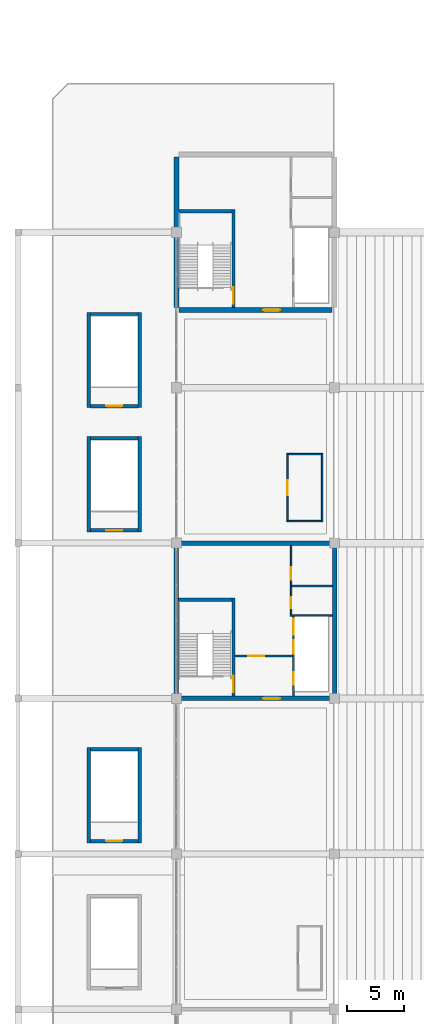
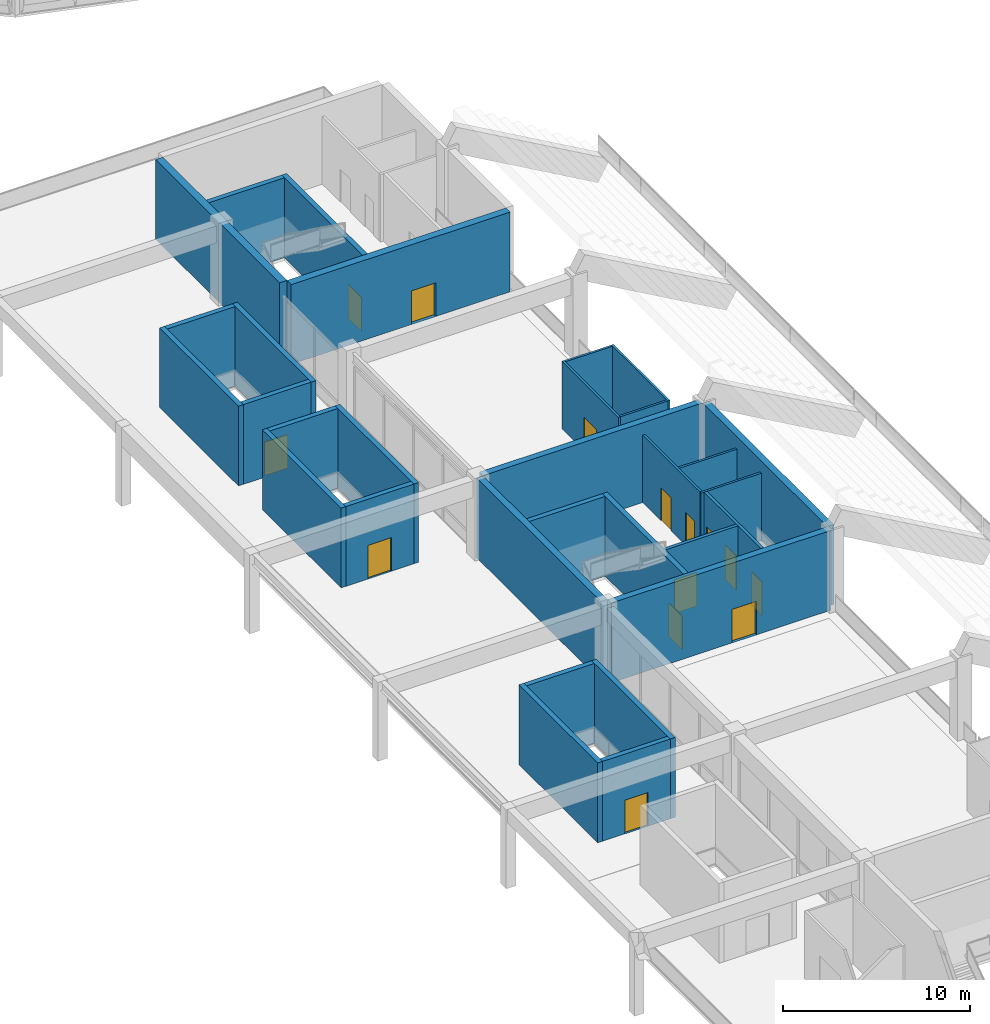
# One storey, part 71 of 90: 31 walls, 14 doors, 14 openings.
"""IFC4 building model written with IfcOpenShell, lengths in metres."""

from ifc_helpers import new_model, si_unit, direction, frame, frame_2d, origin, place, context, subcontext, project, spatial, rectangle, extrude, material, layer, layer_set, type_object, element, fill, save


model = new_model("IFC4")

# Units and contexts
model_context = context("Model", 3, precision=1e-05, world=origin(), true_north=direction((0.0, 1.0)))
body_context = subcontext(model_context, "Body", "Model", "MODEL_VIEW")
ifc_project = project(units=[si_unit("LENGTHUNIT", "METRE"), si_unit("AREAUNIT", "SQUARE_METRE"), si_unit("VOLUMEUNIT", "CUBIC_METRE"), si_unit("PLANEANGLEUNIT", "RADIAN"), si_unit("MASSUNIT", "GRAM", prefix="KILO")], contexts=[model_context])

# Site, building, storey
site_placement = place(None, origin())
site = spatial("IfcSite", under=ifc_project, at=site_placement, CompositionType="ELEMENT")
building_placement = place(site_placement, origin())
building = spatial("IfcBuilding", under=site, at=building_placement, Name="Linyun Crest Stadium", CompositionType="ELEMENT")
storey_placement = place(building_placement, frame((0.0, 0.0, 21.0)))
storey = spatial("IfcBuildingStorey", under=building, at=storey_placement, Name="L05", CompositionType="ELEMENT", Elevation=21.0)

# Walls
ifc_material_1 = material(Name="Concrete C50", Category="concrete")
ifc_layer_1 = layer(ifc_material_1, 0.39990234375)
ifc_layer_set_1 = layer_set([ifc_layer_1], Name="Concrete C50")
wall_type_1 = type_object("IfcWallType", Name="CW02", PredefinedType="SHEAR", material=ifc_layer_set_1)
for number, where, z_axis, x_axis, name in (
    (1, (-84.0, 2.324951171875, 0.0), (0.0, 0.0, 1.0), (0.0, 1.0, 0.0), "Core shear wall CW02 CORE-W2 L05.1"),
    (2, (-70.0, 2.324951171875, 0.0), (0.0, 0.0, 1.0), (0.0, 1.0, 0.0), "Core shear wall CW02 CORE-W2 L05.2"),
):
    element("IfcWall", number, at=place(storey_placement, frame(where, z_axis=z_axis, x_axis=x_axis)), inside=storey, type_object=wall_type_1, Name=name, PredefinedType="SHEAR", context=body_context, shape_type="SweptSolid", body=[
        extrude(rectangle(XDim=13.35009765625, YDim=0.39990234375, at=frame_2d((6.675048828125, 0.0))), origin(), (0.0, 0.0, 1.0), 5.219970703125),
    ])

# Wall, opening, door
wall_1_placement = place(storey_placement, frame((-83.800048828125, 2.125, 0.0), z_axis=(0.0, 0.0, 1.0), x_axis=(1.0, 0.0, 0.0)))
wall_1 = element("IfcWall", 3, at=wall_1_placement, inside=storey, type_object=wall_type_1, Name="Core shear wall CW02 CORE-W2 L05.3", PredefinedType="SHEAR", context=body_context, shape_type="SweptSolid", body=[
    extrude(rectangle(XDim=13.60009765625, YDim=0.39990234375, at=frame_2d((6.800048828125, 0.0))), origin(), (0.0, 0.0, 1.0), 5.219970703125),
])
opening_1_placement = place(wall_1_placement, frame((7.47998046875, 0.0, 0.0)))
opening_1 = element("IfcOpeningElement", 4, at=opening_1_placement, cuts=wall_1, Name="Opening D-L05-090", PredefinedType="OPENING", context=body_context, shape_type="SweptSolid", body=[
    extrude(rectangle(XDim=1.5, YDim=2.199951171875, at=frame_2d((0.75, 1.10009765625))), frame((0.0, 0.2099609375, 0.0), z_axis=(0.0, -1.0, 0.0), x_axis=(1.0, 0.0, 0.0)), (0.0, 0.0, 1.0), 0.419921875),
])
ifc_material_2 = material(Name="Galvanized steel Class A fire door", Category="steel")
ifc_layer_2 = layer(ifc_material_2, 0.054931640625)
ifc_layer_set_2 = layer_set([ifc_layer_2], Name="Galvanized steel Class A fire door")
door_type_1 = type_object("IfcDoorType", Name="FD01", OperationType="NOTDEFINED", PredefinedType="DOOR", material=ifc_layer_set_2)
door_1_placement = place(opening_1_placement, origin())
door_1 = element("IfcDoor", 5, at=door_1_placement, inside=storey, type_object=door_type_1, Name="Door D-L05-090", OperationType="SINGLE_SWING_RIGHT", OverallHeight=2.199951171875, OverallWidth=1.5, PredefinedType="DOOR", context=body_context, shape_type="SweptSolid", body=[
    extrude(rectangle(XDim=1.5, YDim=2.199951171875, at=frame_2d((0.75, 1.10009765625))), frame((0.0, 0.02490234375, 0.0), z_axis=(0.0, -1.0, 0.0), x_axis=(1.0, 0.0, 0.0)), (0.0, 0.0, 1.0), 0.050048828125),
])
fill(opening_1, door_1)

# Walls
wall_2_placement = place(storey_placement, frame((-83.800048828125, 15.875, 0.0), z_axis=(0.0, 0.0, 1.0), x_axis=(1.0, 0.0, 0.0)))
element("IfcWall", 6, at=wall_2_placement, inside=storey, type_object=wall_type_1, Name="Core shear wall CW02 CORE-W2 L05.4", PredefinedType="SHEAR", context=body_context, shape_type="SweptSolid", body=[
    extrude(rectangle(XDim=13.60009765625, YDim=0.39990234375, at=frame_2d((6.800048828125, 0.0))), origin(), (0.0, 0.0, 1.0), 5.219970703125),
])
ifc_material_3 = material(Name="Concrete C50", Category="concrete")
ifc_layer_3 = layer(ifc_material_3, 0.449951171875)
ifc_layer_set_3 = layer_set([ifc_layer_3], Name="Concrete C50")
wall_type_2 = type_object("IfcWallType", Name="CW03", PredefinedType="SHEAR", material=ifc_layer_set_3)
wall_3_placement = place(storey_placement, frame((-84.0, 36.72509765625, 0.0), z_axis=(0.0, 0.0, 1.0), x_axis=(0.0, 1.0, 0.0)))
element("IfcWall", 7, at=wall_3_placement, inside=storey, type_object=wall_type_2, Name="Core shear wall CW03 CORE-W3 L05.1", PredefinedType="SHEAR", context=body_context, shape_type="SweptSolid", body=[
    extrude(rectangle(XDim=13.2998046875, YDim=0.449951171875, at=frame_2d((6.64990234375, 0.0))), origin(), (0.0, 0.0, 1.0), 5.219970703125),
])

# Wall, opening, door
wall_4_placement = place(storey_placement, frame((-83.77490234375, 36.5, 0.0), z_axis=(0.0, 0.0, 1.0), x_axis=(1.0, 0.0, 0.0)))
wall_4 = element("IfcWall", 8, at=wall_4_placement, inside=storey, type_object=wall_type_2, Name="Core shear wall CW03 CORE-W3 L05.3", PredefinedType="SHEAR", context=body_context, shape_type="SweptSolid", body=[
    extrude(rectangle(XDim=13.5498046875, YDim=0.449951171875, at=frame_2d((6.77490234375, 0.0))), origin(), (0.0, 0.0, 1.0), 5.219970703125),
])
opening_2_placement = place(wall_4_placement, frame((7.452880859375, 0.0, 0.0)))
opening_2 = element("IfcOpeningElement", 9, at=opening_2_placement, cuts=wall_4, Name="Opening D-L05-136", PredefinedType="OPENING", context=body_context, shape_type="SweptSolid", body=[
    extrude(rectangle(XDim=1.5, YDim=2.199951171875, at=frame_2d((0.75, 1.10009765625))), frame((0.0, 0.23486328125, 0.0), z_axis=(0.0, -1.0, 0.0), x_axis=(1.0, 0.0, 0.0)), (0.0, 0.0, 1.0), 0.469970703125),
])
door_2_placement = place(opening_2_placement, origin())
door_2 = element("IfcDoor", 10, at=door_2_placement, inside=storey, type_object=door_type_1, Name="Door D-L05-136", OperationType="SINGLE_SWING_RIGHT", OverallHeight=2.199951171875, OverallWidth=1.5, PredefinedType="DOOR", context=body_context, shape_type="SweptSolid", body=[
    extrude(rectangle(XDim=1.5, YDim=2.199951171875, at=frame_2d((0.75, 1.10009765625))), frame((0.0, 0.02490234375, 0.0), z_axis=(0.0, -1.0, 0.0), x_axis=(1.0, 0.0, 0.0)), (0.0, 0.0, 1.0), 0.050048828125),
])
fill(opening_2, door_2)

ifc_material_4 = material(Name="Autoclaved aerated concrete block with fireboard", Category="concrete")
ifc_layer_4 = layer(ifc_material_4, 0.199951171875)
ifc_layer_set_4 = layer_set([ifc_layer_4], Name="Autoclaved aerated concrete block with fireboard")
wall_type_3 = type_object("IfcWallType", Name="PW11", PredefinedType="PARTITIONING", material=ifc_layer_set_4)
wall_5_placement = place(storey_placement, frame((-78.800048828125, 5.875, 0.0), z_axis=(0.0, 0.0, 1.0), x_axis=(1.0, 0.0, 0.0)))
wall_5 = element("IfcWall", 11, at=wall_5_placement, inside=storey, type_object=wall_type_3, Name="Partition PW11 L05 37", PredefinedType="PARTITIONING", context=body_context, shape_type="SweptSolid", body=[
    extrude(rectangle(XDim=5.06005859375, YDim=0.199951171875, at=frame_2d((2.530029296875, 0.0))), origin(), (0.0, 0.0, 1.0), 4.419921875),
])
opening_3_placement = place(wall_5_placement, frame((1.169921875, 0.0, 0.0)))
opening_3 = element("IfcOpeningElement", 12, at=opening_3_placement, cuts=wall_5, Name="Opening D-L05-092", PredefinedType="OPENING", context=body_context, shape_type="SweptSolid", body=[
    extrude(rectangle(XDim=1.39990234375, YDim=2.199951171875, at=frame_2d((0.699951171875, 1.10009765625))), frame((0.0, 0.10986328125, 0.0), z_axis=(0.0, -1.0, 0.0), x_axis=(1.0, 0.0, 0.0)), (0.0, 0.0, 1.0), 0.219970703125),
])
ifc_material_5 = material(Name="Galvanized steel Class B fire door", Category="steel")
ifc_layer_5 = layer(ifc_material_5, 0.054931640625)
ifc_layer_set_5 = layer_set([ifc_layer_5], Name="Galvanized steel Class B fire door")
door_type_2 = type_object("IfcDoorType", Name="FD03", OperationType="NOTDEFINED", PredefinedType="DOOR", material=ifc_layer_set_5)
door_3_placement = place(opening_3_placement, origin())
door_3 = element("IfcDoor", 13, at=door_3_placement, inside=storey, type_object=door_type_2, Name="Door D-L05-092", OperationType="SINGLE_SWING_RIGHT", OverallHeight=2.199951171875, OverallWidth=1.39990234375, PredefinedType="DOOR", context=body_context, shape_type="SweptSolid", body=[
    extrude(rectangle(XDim=1.39990234375, YDim=2.199951171875, at=frame_2d((0.699951171875, 1.10009765625))), frame((0.0, 0.02490234375, 0.0), z_axis=(0.0, -1.0, 0.0), x_axis=(1.0, 0.0, 0.0)), (0.0, 0.0, 1.0), 0.050048828125),
])
fill(opening_3, door_3)

# Wall, openings, doors
ifc_material_6 = material(Name="Autoclaved aerated concrete block fire partition", Category="concrete")
ifc_layer_6 = layer(ifc_material_6, 0.179931640625)
ifc_layer_set_6 = layer_set([ifc_layer_6], Name="Autoclaved aerated concrete block fire partition")
wall_type_4 = type_object("IfcWallType", Name="PW12", PredefinedType="PARTITIONING", material=ifc_layer_set_6)
wall_6_placement = place(storey_placement, frame((-73.64990234375, 2.324951171875, 0.0), z_axis=(0.0, 0.0, 1.0), x_axis=(0.0, 1.0, 0.0)))
wall_6 = element("IfcWall", 14, at=wall_6_placement, inside=storey, type_object=wall_type_4, Name="Partition PW12 L05 38", PredefinedType="PARTITIONING", context=body_context, shape_type="SweptSolid", body=[
    extrude(rectangle(XDim=7.080078125, YDim=0.179931640625, at=frame_2d((3.5400390625, 0.0))), origin(), (0.0, 0.0, 1.0), 4.419921875),
])
opening_4_placement = place(wall_6_placement, frame((1.0, 0.0, 0.0)))
opening_4 = element("IfcOpeningElement", 15, at=opening_4_placement, cuts=wall_6, Name="Opening LD030", PredefinedType="OPENING", context=body_context, shape_type="SweptSolid", body=[
    extrude(rectangle(XDim=1.10009765625, YDim=2.199951171875, at=frame_2d((0.550048828125, 1.10009765625))), frame((0.0, 0.099853515625, 0.0), z_axis=(0.0, -1.0, 0.0), x_axis=(1.0, 0.0, 0.0)), (0.0, 0.0, 1.0), 0.199951171875),
])
opening_5_placement = place(wall_6_placement, frame((3.75, 0.0, 0.0)))
opening_5 = element("IfcOpeningElement", 16, at=opening_5_placement, cuts=wall_6, Name="Opening LD031", PredefinedType="OPENING", context=body_context, shape_type="SweptSolid", body=[
    extrude(rectangle(XDim=1.199951171875, YDim=2.25, at=frame_2d((0.60009765625, 1.125))), frame((0.0, 0.099853515625, 0.0), z_axis=(0.0, -1.0, 0.0), x_axis=(1.0, 0.0, 0.0)), (0.0, 0.0, 1.0), 0.199951171875),
])
opening_6_placement = place(wall_6_placement, frame((5.449951171875, 0.0, 0.0)))
opening_6 = element("IfcOpeningElement", 17, at=opening_6_placement, cuts=wall_6, Name="Opening LD032", PredefinedType="OPENING", context=body_context, shape_type="SweptSolid", body=[
    extrude(rectangle(XDim=1.39990234375, YDim=2.300048828125, at=frame_2d((0.699951171875, 1.14990234375))), frame((0.0, 0.099853515625, 0.0), z_axis=(0.0, -1.0, 0.0), x_axis=(1.0, 0.0, 0.0)), (0.0, 0.0, 1.0), 0.199951171875),
])
ifc_material_7 = material(Name="Brushed stainless sliding lift door")
ifc_layer_7 = layer(ifc_material_7, 0.050048828125)
ifc_layer_set_7 = layer_set([ifc_layer_7], Name="Brushed stainless sliding lift door")
door_type_3 = type_object("IfcDoorType", Name="LD01", OperationType="NOTDEFINED", PredefinedType="DOOR", material=ifc_layer_set_7)
door_4_placement = place(opening_4_placement, origin())
door_4 = element("IfcDoor", 18, at=door_4_placement, inside=storey, type_object=door_type_3, Name="Lift landing door LD030", OperationType="DOUBLE_DOOR_SLIDING", OverallHeight=2.199951171875, OverallWidth=1.10009765625, PredefinedType="DOOR", context=body_context, shape_type="SweptSolid", body=[
    extrude(rectangle(XDim=1.10009765625, YDim=2.199951171875, at=frame_2d((0.550048828125, 1.10009765625))), frame((0.0, 0.02490234375, 0.0), z_axis=(0.0, -1.0, 0.0), x_axis=(1.0, 0.0, 0.0)), (0.0, 0.0, 1.0), 0.050048828125),
])
fill(opening_4, door_4)
ifc_material_8 = material(Name="Brushed stainless sliding lift door")
ifc_layer_8 = layer(ifc_material_8, 0.050048828125)
ifc_layer_set_8 = layer_set([ifc_layer_8], Name="Brushed stainless sliding lift door")
door_type_4 = type_object("IfcDoorType", Name="LD02", OperationType="NOTDEFINED", PredefinedType="DOOR", material=ifc_layer_set_8)
door_5_placement = place(opening_5_placement, origin())
door_5 = element("IfcDoor", 19, at=door_5_placement, inside=storey, type_object=door_type_4, Name="Lift landing door LD031", OperationType="DOUBLE_DOOR_SLIDING", OverallHeight=2.25, OverallWidth=1.199951171875, PredefinedType="DOOR", context=body_context, shape_type="SweptSolid", body=[
    extrude(rectangle(XDim=1.199951171875, YDim=2.25, at=frame_2d((0.60009765625, 1.125))), frame((0.0, 0.02490234375, 0.0), z_axis=(0.0, -1.0, 0.0), x_axis=(1.0, 0.0, 0.0)), (0.0, 0.0, 1.0), 0.050048828125),
])
fill(opening_5, door_5)
ifc_material_9 = material(Name="Heavy-duty stainless sliding door")
ifc_layer_9 = layer(ifc_material_9, 0.054931640625)
ifc_layer_set_9 = layer_set([ifc_layer_9], Name="Heavy-duty stainless sliding door")
door_type_5 = type_object("IfcDoorType", Name="LD03", OperationType="NOTDEFINED", PredefinedType="DOOR", material=ifc_layer_set_9)
door_6_placement = place(opening_6_placement, origin())
door_6 = element("IfcDoor", 20, at=door_6_placement, inside=storey, type_object=door_type_5, Name="Lift landing door LD032", OperationType="DOUBLE_DOOR_SLIDING", OverallHeight=2.300048828125, OverallWidth=1.39990234375, PredefinedType="DOOR", context=body_context, shape_type="SweptSolid", body=[
    extrude(rectangle(XDim=1.39990234375, YDim=2.300048828125, at=frame_2d((0.699951171875, 1.14990234375))), frame((0.0, 0.02490234375, 0.0), z_axis=(0.0, -1.0, 0.0), x_axis=(1.0, 0.0, 0.0)), (0.0, 0.0, 1.0), 0.050048828125),
])
fill(opening_6, door_6)

ifc_material_10 = material(Name="Moisture-resistant ceramic-tiled wet-room wall")
ifc_layer_10 = layer(ifc_material_10, 0.139892578125)
ifc_layer_set_10 = layer_set([ifc_layer_10], Name="Moisture-resistant ceramic-tiled wet-room wall")
wall_type_5 = type_object("IfcWallType", Name="PW15", PredefinedType="PARTITIONING", material=ifc_layer_set_10)
wall_7_placement = place(storey_placement, frame((-73.85009765625, 9.544921875, 0.0), z_axis=(0.0, 0.0, 1.0), x_axis=(0.0, 1.0, 0.0)))
wall_7 = element("IfcWall", 21, at=wall_7_placement, inside=storey, type_object=wall_type_5, Name="Partition PW15 L05 39", PredefinedType="PARTITIONING", context=body_context, shape_type="SweptSolid", body=[
    extrude(rectangle(XDim=6.130126953125, YDim=0.139892578125, at=frame_2d((3.06494140625, 0.0))), origin(), (0.0, 0.0, 1.0), 4.419921875),
])
opening_7_placement = place(wall_7_placement, frame((0.580078125, 0.0, 0.0)))
opening_7 = element("IfcOpeningElement", 22, at=opening_7_placement, cuts=wall_7, Name="Opening D-L05-096", PredefinedType="OPENING", context=body_context, shape_type="SweptSolid", body=[
    extrude(rectangle(XDim=0.949951171875, YDim=2.14990234375, at=frame_2d((0.47509765625, 1.074951171875))), frame((0.0, 0.079833984375, 0.0), z_axis=(0.0, -1.0, 0.0), x_axis=(1.0, 0.0, 0.0)), (0.0, 0.0, 1.0), 0.159912109375),
])
opening_8_placement = place(wall_7_placement, frame((3.080078125, 0.0, 0.0)))
opening_8 = element("IfcOpeningElement", 23, at=opening_8_placement, cuts=wall_7, Name="Opening D-L05-097", PredefinedType="OPENING", context=body_context, shape_type="SweptSolid", body=[
    extrude(rectangle(XDim=1.10009765625, YDim=2.14990234375, at=frame_2d((0.550048828125, 1.074951171875))), frame((0.0, 0.079833984375, 0.0), z_axis=(0.0, -1.0, 0.0), x_axis=(1.0, 0.0, 0.0)), (0.0, 0.0, 1.0), 0.159912109375),
])
ifc_material_11 = material(Name="Moisture-resistant laminate leaf")
ifc_layer_11 = layer(ifc_material_11, 0.044921875)
ifc_layer_set_11 = layer_set([ifc_layer_11], Name="Moisture-resistant laminate leaf")
door_type_6 = type_object("IfcDoorType", Name="ID02", OperationType="NOTDEFINED", PredefinedType="DOOR", material=ifc_layer_set_11)
door_7_placement = place(opening_7_placement, origin())
door_7 = element("IfcDoor", 24, at=door_7_placement, inside=storey, type_object=door_type_6, Name="Door D-L05-096", OperationType="SINGLE_SWING_RIGHT", OverallHeight=2.14990234375, OverallWidth=0.949951171875, PredefinedType="DOOR", context=body_context, shape_type="SweptSolid", body=[
    extrude(rectangle(XDim=0.949951171875, YDim=2.14990234375, at=frame_2d((0.47509765625, 1.074951171875))), frame((0.0, 0.02490234375, 0.0), z_axis=(0.0, -1.0, 0.0), x_axis=(1.0, 0.0, 0.0)), (0.0, 0.0, 1.0), 0.050048828125),
])
fill(opening_7, door_7)
ifc_material_12 = material(Name="Moisture-resistant laminate leaf")
ifc_layer_12 = layer(ifc_material_12, 0.044921875)
ifc_layer_set_12 = layer_set([ifc_layer_12], Name="Moisture-resistant laminate leaf")
door_type_7 = type_object("IfcDoorType", Name="ID03", OperationType="NOTDEFINED", PredefinedType="DOOR", material=ifc_layer_set_12)
door_8_placement = place(opening_8_placement, origin())
door_8 = element("IfcDoor", 25, at=door_8_placement, inside=storey, type_object=door_type_7, Name="Door D-L05-097", OperationType="SINGLE_SWING_LEFT", OverallHeight=2.14990234375, OverallWidth=1.10009765625, PredefinedType="DOOR", context=body_context, shape_type="SweptSolid", body=[
    extrude(rectangle(XDim=1.10009765625, YDim=2.14990234375, at=frame_2d((0.550048828125, 1.074951171875))), frame((0.0, 0.02490234375, 0.0), z_axis=(0.0, -1.0, 0.0), x_axis=(1.0, 0.0, 0.0)), (0.0, 0.0, 1.0), 0.050048828125),
])
fill(opening_8, door_8)

# Walls
wall_8_placement = place(storey_placement, frame((-73.919921875, 9.47509765625, 0.0), z_axis=(0.0, 0.0, 1.0), x_axis=(1.0, 0.0, 0.0)))
element("IfcWall", 26, at=wall_8_placement, inside=storey, type_object=wall_type_5, Name="Enclosure partition PW15 L05 25", PredefinedType="PARTITIONING", context=body_context, shape_type="SweptSolid", body=[
    extrude(rectangle(XDim=3.719970703125, YDim=0.139892578125, at=frame_2d((1.85986328125, 0.0))), origin(), (0.0, 0.0, 1.0), 4.419921875),
])
wall_9_placement = place(storey_placement, frame((-73.780029296875, 12.074951171875, 0.0), z_axis=(0.0, 0.0, 1.0), x_axis=(1.0, 0.0, 0.0)))
element("IfcWall", 27, at=wall_9_placement, inside=storey, type_object=wall_type_5, Name="Enclosure partition PW15 L05 26", PredefinedType="PARTITIONING", context=body_context, shape_type="SweptSolid", body=[
    extrude(rectangle(XDim=3.580078125, YDim=0.139892578125, at=frame_2d((1.7900390625, 0.0))), origin(), (0.0, 0.0, 1.0), 4.419921875),
])

# Wall, opening, door
ifc_material_13 = material(Name="Impact-resistant community sports hall lining")
ifc_layer_13 = layer(ifc_material_13, 0.135009765625)
ifc_layer_set_13 = layer_set([ifc_layer_13], Name="Impact-resistant community sports hall lining")
wall_type_6 = type_object("IfcWallType", Name="PW19", PredefinedType="PARTITIONING", material=ifc_layer_set_13)
wall_10_placement = place(storey_placement, frame((-74.156982421875, 17.7548828125, 0.0), z_axis=(0.0, 0.0, 1.0), x_axis=(0.0, 1.0, 0.0)))
wall_10 = element("IfcWall", 28, at=wall_10_placement, inside=storey, type_object=wall_type_6, Name="Partition PW19 L05 230", PredefinedType="PARTITIONING", context=body_context, shape_type="SweptSolid", body=[
    extrude(rectangle(XDim=6.050048828125, YDim=0.135009765625, at=frame_2d((3.02490234375, 0.0))), origin(), (0.0, 0.0, 1.0), 4.419921875),
])
opening_9_placement = place(wall_10_placement, frame((2.35009765625, 0.0, 0.0)))
opening_9 = element("IfcOpeningElement", 29, at=opening_9_placement, cuts=wall_10, Name="Opening D-L05-493", PredefinedType="OPENING", context=body_context, shape_type="SweptSolid", body=[
    extrude(rectangle(XDim=1.35009765625, YDim=2.199951171875, at=frame_2d((0.675048828125, 1.10009765625))), frame((0.0, 0.077392578125, 0.0), z_axis=(0.0, -1.0, 0.0), x_axis=(1.0, 0.0, 0.0)), (0.0, 0.0, 1.0), 0.155029296875),
])
ifc_material_14 = material(Name="Wide hospital-grade hygienic door")
ifc_layer_14 = layer(ifc_material_14, 0.050048828125)
ifc_layer_set_14 = layer_set([ifc_layer_14], Name="Wide hospital-grade hygienic door")
door_type_8 = type_object("IfcDoorType", Name="ID12", OperationType="NOTDEFINED", PredefinedType="DOOR", material=ifc_layer_set_14)
door_9_placement = place(opening_9_placement, origin())
door_9 = element("IfcDoor", 30, at=door_9_placement, inside=storey, type_object=door_type_8, Name="Door D-L05-493", OperationType="SINGLE_SWING_LEFT", OverallHeight=2.199951171875, OverallWidth=1.35009765625, PredefinedType="DOOR", context=body_context, shape_type="SweptSolid", body=[
    extrude(rectangle(XDim=1.35009765625, YDim=2.199951171875, at=frame_2d((0.675048828125, 1.10009765625))), frame((0.0, 0.02490234375, 0.0), z_axis=(0.0, -1.0, 0.0), x_axis=(1.0, 0.0, 0.0)), (0.0, 0.0, 1.0), 0.050048828125),
])
fill(opening_9, door_9)

# Walls
wall_11_placement = place(storey_placement, frame((-71.096923828125, 17.7548828125, 0.0), z_axis=(0.0, 0.0, 1.0), x_axis=(0.0, 1.0, 0.0)))
element("IfcWall", 31, at=wall_11_placement, inside=storey, type_object=wall_type_6, Name="Enclosure partition PW19 L05 406", PredefinedType="PARTITIONING", context=body_context, shape_type="SweptSolid", body=[
    extrude(rectangle(XDim=6.050048828125, YDim=0.135009765625, at=frame_2d((3.02490234375, 0.0))), origin(), (0.0, 0.0, 1.0), 4.419921875),
])
for number, where, z_axis, x_axis, name in (
    (32, (-74.089111328125, 17.822998046875, 0.0), (0.0, 0.0, 1.0), (1.0, 0.0, 0.0), "Enclosure partition PW19 L05 407"),
    (33, (-74.089111328125, 23.737060546875, 0.0), (0.0, 0.0, 1.0), (1.0, 0.0, 0.0), "Enclosure partition PW19 L05 408"),
):
    element("IfcWall", number, at=place(storey_placement, frame(where, z_axis=z_axis, x_axis=x_axis)), inside=storey, type_object=wall_type_6, Name=name, PredefinedType="PARTITIONING", context=body_context, shape_type="SweptSolid", body=[
        extrude(rectangle(XDim=2.924072265625, YDim=0.135009765625, at=frame_2d((1.4619140625, 0.0))), origin(), (0.0, 0.0, 1.0), 4.419921875),
    ])

# Wall, opening, door
ifc_material_15 = material(Name="Concrete C50", Category="concrete")
ifc_layer_15 = layer(ifc_material_15, 0.300048828125)
ifc_layer_set_15 = layer_set([ifc_layer_15], Name="Concrete C50")
wall_type_7 = type_object("IfcWallType", Name="SW01", PredefinedType="SHEAR", material=ifc_layer_set_15)
wall_12_placement = place(storey_placement, frame((-78.949951171875, 2.324951171875, 0.0), z_axis=(0.0, 0.0, 1.0), x_axis=(0.0, 1.0, 0.0)))
wall_12 = element("IfcWall", 34, at=wall_12_placement, inside=storey, type_object=wall_type_7, Name="Core stair east bearing wall SW01 2 L05", PredefinedType="SHEAR", context=body_context, shape_type="SweptSolid", body=[
    extrude(rectangle(XDim=8.699951171875, YDim=0.300048828125, at=frame_2d((4.35009765625, 0.0))), origin(), (0.0, 0.0, 1.0), 5.219970703125),
])
opening_10_placement = place(wall_12_placement, frame((0.3701171875, 0.0, 0.0)))
opening_10 = element("IfcOpeningElement", 35, at=opening_10_placement, cuts=wall_12, Name="Opening D-L05-091", PredefinedType="OPENING", context=body_context, shape_type="SweptSolid", body=[
    extrude(rectangle(XDim=1.449951171875, YDim=2.199951171875, at=frame_2d((0.72509765625, 1.10009765625))), frame((0.0, 0.159912109375, 0.0), z_axis=(0.0, -1.0, 0.0), x_axis=(1.0, 0.0, 0.0)), (0.0, 0.0, 1.0), 0.320068359375),
])
ifc_material_16 = material(Name="Galvanized steel Class A fire door", Category="steel")
ifc_layer_16 = layer(ifc_material_16, 0.054931640625)
ifc_layer_set_16 = layer_set([ifc_layer_16], Name="Galvanized steel Class A fire door")
door_type_9 = type_object("IfcDoorType", Name="FD02", OperationType="NOTDEFINED", PredefinedType="DOOR", material=ifc_layer_set_16)
door_10_placement = place(opening_10_placement, origin())
door_10 = element("IfcDoor", 36, at=door_10_placement, inside=storey, type_object=door_type_9, Name="Door D-L05-091", OperationType="SINGLE_SWING_LEFT", OverallHeight=2.199951171875, OverallWidth=1.449951171875, PredefinedType="DOOR", context=body_context, shape_type="SweptSolid", body=[
    extrude(rectangle(XDim=1.449951171875, YDim=2.199951171875, at=frame_2d((0.72509765625, 1.10009765625))), frame((0.0, 0.02490234375, 0.0), z_axis=(0.0, -1.0, 0.0), x_axis=(1.0, 0.0, 0.0)), (0.0, 0.0, 1.0), 0.050048828125),
])
fill(opening_10, door_10)

wall_13_placement = place(storey_placement, frame((-78.949951171875, 36.72509765625, 0.0), z_axis=(0.0, 0.0, 1.0), x_axis=(0.0, 1.0, 0.0)))
wall_13 = element("IfcWall", 37, at=wall_13_placement, inside=storey, type_object=wall_type_7, Name="Core stair east bearing wall SW01 3 L05", PredefinedType="SHEAR", context=body_context, shape_type="SweptSolid", body=[
    extrude(rectangle(XDim=8.6748046875, YDim=0.300048828125, at=frame_2d((4.33740234375, 0.0))), origin(), (0.0, 0.0, 1.0), 5.219970703125),
])
opening_11_placement = place(wall_13_placement, frame((0.344970703125, 0.0, 0.0)))
opening_11 = element("IfcOpeningElement", 38, at=opening_11_placement, cuts=wall_13, Name="Opening D-L05-137", PredefinedType="OPENING", context=body_context, shape_type="SweptSolid", body=[
    extrude(rectangle(XDim=1.449951171875, YDim=2.199951171875, at=frame_2d((0.72509765625, 1.10009765625))), frame((0.0, 0.159912109375, 0.0), z_axis=(0.0, -1.0, 0.0), x_axis=(1.0, 0.0, 0.0)), (0.0, 0.0, 1.0), 0.320068359375),
])
door_11_placement = place(opening_11_placement, origin())
door_11 = element("IfcDoor", 39, at=door_11_placement, inside=storey, type_object=door_type_9, Name="Door D-L05-137", OperationType="SINGLE_SWING_LEFT", OverallHeight=2.199951171875, OverallWidth=1.449951171875, PredefinedType="DOOR", context=body_context, shape_type="SweptSolid", body=[
    extrude(rectangle(XDim=1.449951171875, YDim=2.199951171875, at=frame_2d((0.72509765625, 1.10009765625))), frame((0.0, 0.02490234375, 0.0), z_axis=(0.0, -1.0, 0.0), x_axis=(1.0, 0.0, 0.0)), (0.0, 0.0, 1.0), 0.050048828125),
])
fill(opening_11, door_11)

# Walls
wall_14_placement = place(storey_placement, frame((-83.800048828125, 10.875, 0.0), z_axis=(0.0, 0.0, 1.0), x_axis=(1.0, 0.0, 0.0)))
element("IfcWall", 40, at=wall_14_placement, inside=storey, type_object=wall_type_7, Name="Core stair bearing wall SW01 2 L05", PredefinedType="SHEAR", context=body_context, shape_type="SweptSolid", body=[
    extrude(rectangle(XDim=4.699951171875, YDim=0.300048828125, at=frame_2d((2.35009765625, 0.0))), origin(), (0.0, 0.0, 1.0), 5.219970703125),
])
wall_15_placement = place(storey_placement, frame((-83.77490234375, 45.25, 0.0), z_axis=(0.0, 0.0, 1.0), x_axis=(1.0, 0.0, 0.0)))
element("IfcWall", 41, at=wall_15_placement, inside=storey, type_object=wall_type_7, Name="Core stair bearing wall SW01 3 L05", PredefinedType="SHEAR", context=body_context, shape_type="SweptSolid", body=[
    extrude(rectangle(XDim=4.6748046875, YDim=0.300048828125, at=frame_2d((2.33740234375, 0.0))), origin(), (0.0, 0.0, 1.0), 5.219970703125),
])

# Wall, opening, door
wall_16_placement = place(storey_placement, frame((-91.60009765625, -10.5, 0.0), z_axis=(0.0, 0.0, 1.0), x_axis=(1.0, 0.0, 0.0)))
wall_16 = element("IfcWall", 42, at=wall_16_placement, inside=storey, type_object=wall_type_7, Name="Stair shaft wall SW01 STR-15 L05 S", PredefinedType="SHEAR", context=body_context, shape_type="SweptSolid", body=[
    extrude(rectangle(XDim=4.2001953125, YDim=0.300048828125, at=frame_2d((2.10009765625, 0.0))), origin(), (0.0, 0.0, 1.0), 5.219970703125),
])
opening_12_placement = place(wall_16_placement, frame((1.375, 0.0, 0.0)))
opening_12 = element("IfcOpeningElement", 43, at=opening_12_placement, cuts=wall_16, Name="Opening D-L05-556", PredefinedType="OPENING", context=body_context, shape_type="SweptSolid", body=[
    extrude(rectangle(XDim=1.449951171875, YDim=2.199951171875, at=frame_2d((0.72509765625, 1.10009765625))), frame((0.0, 0.159912109375, 0.0), z_axis=(0.0, -1.0, 0.0), x_axis=(1.0, 0.0, 0.0)), (0.0, 0.0, 1.0), 0.320068359375),
])
door_12_placement = place(opening_12_placement, origin())
door_12 = element("IfcDoor", 44, at=door_12_placement, inside=storey, type_object=door_type_9, Name="Door D-L05-556", OperationType="SINGLE_SWING_RIGHT", OverallHeight=2.199951171875, OverallWidth=1.449951171875, PredefinedType="DOOR", context=body_context, shape_type="SweptSolid", body=[
    extrude(rectangle(XDim=1.449951171875, YDim=2.199951171875, at=frame_2d((0.72509765625, 1.10009765625))), frame((0.0, 0.02490234375, 0.0), z_axis=(0.0, -1.0, 0.0), x_axis=(1.0, 0.0, 0.0)), (0.0, 0.0, 1.0), 0.050048828125),
])
fill(opening_12, door_12)

# Walls
wall_17_placement = place(storey_placement, frame((-91.60009765625, -2.35009765625, 0.0), z_axis=(0.0, 0.0, 1.0), x_axis=(1.0, 0.0, 0.0)))
element("IfcWall", 45, at=wall_17_placement, inside=storey, type_object=wall_type_7, Name="Stair shaft wall SW01 STR-15 L05 N", PredefinedType="SHEAR", context=body_context, shape_type="SweptSolid", body=[
    extrude(rectangle(XDim=4.2001953125, YDim=0.300048828125, at=frame_2d((2.10009765625, 0.0))), origin(), (0.0, 0.0, 1.0), 5.219970703125),
])
for number, where, z_axis, x_axis, name in (
    (46, (-91.75, -10.64990234375, 0.0), (0.0, 0.0, 1.0), (0.0, 1.0, 0.0), "Stair shaft wall SW01 STR-15 L05 W"),
    (47, (-87.25, -10.64990234375, 0.0), (0.0, 0.0, 1.0), (0.0, 1.0, 0.0), "Stair shaft wall SW01 STR-15 L05 E"),
):
    element("IfcWall", number, at=place(storey_placement, frame(where, z_axis=z_axis, x_axis=x_axis)), inside=storey, type_object=wall_type_7, Name=name, PredefinedType="SHEAR", context=body_context, shape_type="SweptSolid", body=[
        extrude(rectangle(XDim=8.449951171875, YDim=0.300048828125, at=frame_2d((4.22509765625, 0.0))), origin(), (0.0, 0.0, 1.0), 5.219970703125),
    ])

# Wall, opening, door
wall_18_placement = place(storey_placement, frame((-91.60009765625, 17.0, 0.0), z_axis=(0.0, 0.0, 1.0), x_axis=(1.0, 0.0, 0.0)))
wall_18 = element("IfcWall", 48, at=wall_18_placement, inside=storey, type_object=wall_type_7, Name="Stair shaft wall SW01 STR-16 L05 S", PredefinedType="SHEAR", context=body_context, shape_type="SweptSolid", body=[
    extrude(rectangle(XDim=4.2001953125, YDim=0.300048828125, at=frame_2d((2.10009765625, 0.0))), origin(), (0.0, 0.0, 1.0), 5.219970703125),
])
opening_13_placement = place(wall_18_placement, frame((1.375, 0.0, 0.0)))
opening_13 = element("IfcOpeningElement", 49, at=opening_13_placement, cuts=wall_18, Name="Opening D-L05-561", PredefinedType="OPENING", context=body_context, shape_type="SweptSolid", body=[
    extrude(rectangle(XDim=1.449951171875, YDim=2.199951171875, at=frame_2d((0.72509765625, 1.10009765625))), frame((0.0, 0.159912109375, 0.0), z_axis=(0.0, -1.0, 0.0), x_axis=(1.0, 0.0, 0.0)), (0.0, 0.0, 1.0), 0.320068359375),
])
door_13_placement = place(opening_13_placement, origin())
door_13 = element("IfcDoor", 50, at=door_13_placement, inside=storey, type_object=door_type_9, Name="Door D-L05-561", OperationType="SINGLE_SWING_LEFT", OverallHeight=2.199951171875, OverallWidth=1.449951171875, PredefinedType="DOOR", context=body_context, shape_type="SweptSolid", body=[
    extrude(rectangle(XDim=1.449951171875, YDim=2.199951171875, at=frame_2d((0.72509765625, 1.10009765625))), frame((0.0, 0.02490234375, 0.0), z_axis=(0.0, -1.0, 0.0), x_axis=(1.0, 0.0, 0.0)), (0.0, 0.0, 1.0), 0.050048828125),
])
fill(opening_13, door_13)

# Walls
wall_19_placement = place(storey_placement, frame((-91.60009765625, 25.14990234375, 0.0), z_axis=(0.0, 0.0, 1.0), x_axis=(1.0, 0.0, 0.0)))
element("IfcWall", 51, at=wall_19_placement, inside=storey, type_object=wall_type_7, Name="Stair shaft wall SW01 STR-16 L05 N", PredefinedType="SHEAR", context=body_context, shape_type="SweptSolid", body=[
    extrude(rectangle(XDim=4.2001953125, YDim=0.300048828125, at=frame_2d((2.10009765625, 0.0))), origin(), (0.0, 0.0, 1.0), 5.219970703125),
])
for number, where, z_axis, x_axis, name in (
    (52, (-91.75, 16.85009765625, 0.0), (0.0, 0.0, 1.0), (0.0, 1.0, 0.0), "Stair shaft wall SW01 STR-16 L05 W"),
    (53, (-87.25, 16.85009765625, 0.0), (0.0, 0.0, 1.0), (0.0, 1.0, 0.0), "Stair shaft wall SW01 STR-16 L05 E"),
):
    element("IfcWall", number, at=place(storey_placement, frame(where, z_axis=z_axis, x_axis=x_axis)), inside=storey, type_object=wall_type_7, Name=name, PredefinedType="SHEAR", context=body_context, shape_type="SweptSolid", body=[
        extrude(rectangle(XDim=8.449951171875, YDim=0.300048828125, at=frame_2d((4.22509765625, 0.0))), origin(), (0.0, 0.0, 1.0), 5.219970703125),
    ])

# Wall, opening, door
wall_20_placement = place(storey_placement, frame((-91.60009765625, 28.0, 0.0), z_axis=(0.0, 0.0, 1.0), x_axis=(1.0, 0.0, 0.0)))
wall_20 = element("IfcWall", 54, at=wall_20_placement, inside=storey, type_object=wall_type_7, Name="Stair shaft wall SW01 STR-17 L05 S", PredefinedType="SHEAR", context=body_context, shape_type="SweptSolid", body=[
    extrude(rectangle(XDim=4.2001953125, YDim=0.300048828125, at=frame_2d((2.10009765625, 0.0))), origin(), (0.0, 0.0, 1.0), 5.219970703125),
])
opening_14_placement = place(wall_20_placement, frame((1.375, 0.0, 0.0)))
opening_14 = element("IfcOpeningElement", 55, at=opening_14_placement, cuts=wall_20, Name="Opening D-L05-566", PredefinedType="OPENING", context=body_context, shape_type="SweptSolid", body=[
    extrude(rectangle(XDim=1.449951171875, YDim=2.199951171875, at=frame_2d((0.72509765625, 1.10009765625))), frame((0.0, 0.159912109375, 0.0), z_axis=(0.0, -1.0, 0.0), x_axis=(1.0, 0.0, 0.0)), (0.0, 0.0, 1.0), 0.320068359375),
])
door_14_placement = place(opening_14_placement, origin())
door_14 = element("IfcDoor", 56, at=door_14_placement, inside=storey, type_object=door_type_9, Name="Door D-L05-566", OperationType="SINGLE_SWING_RIGHT", OverallHeight=2.199951171875, OverallWidth=1.449951171875, PredefinedType="DOOR", context=body_context, shape_type="SweptSolid", body=[
    extrude(rectangle(XDim=1.449951171875, YDim=2.199951171875, at=frame_2d((0.72509765625, 1.10009765625))), frame((0.0, 0.02490234375, 0.0), z_axis=(0.0, -1.0, 0.0), x_axis=(1.0, 0.0, 0.0)), (0.0, 0.0, 1.0), 0.050048828125),
])
fill(opening_14, door_14)

# Walls
wall_21_placement = place(storey_placement, frame((-91.60009765625, 36.14990234375, 0.0), z_axis=(0.0, 0.0, 1.0), x_axis=(1.0, 0.0, 0.0)))
element("IfcWall", 57, at=wall_21_placement, inside=storey, type_object=wall_type_7, Name="Stair shaft wall SW01 STR-17 L05 N", PredefinedType="SHEAR", context=body_context, shape_type="SweptSolid", body=[
    extrude(rectangle(XDim=4.2001953125, YDim=0.300048828125, at=frame_2d((2.10009765625, 0.0))), origin(), (0.0, 0.0, 1.0), 5.219970703125),
])
for number, where, z_axis, x_axis, name in (
    (58, (-91.75, 27.85009765625, 0.0), (0.0, 0.0, 1.0), (0.0, 1.0, 0.0), "Stair shaft wall SW01 STR-17 L05 W"),
    (59, (-87.25, 27.85009765625, 0.0), (0.0, 0.0, 1.0), (0.0, 1.0, 0.0), "Stair shaft wall SW01 STR-17 L05 E"),
):
    element("IfcWall", number, at=place(storey_placement, frame(where, z_axis=z_axis, x_axis=x_axis)), inside=storey, type_object=wall_type_7, Name=name, PredefinedType="SHEAR", context=body_context, shape_type="SweptSolid", body=[
        extrude(rectangle(XDim=8.449951171875, YDim=0.300048828125, at=frame_2d((4.22509765625, 0.0))), origin(), (0.0, 0.0, 1.0), 5.219970703125),
    ])

save(model, "model.ifc")
